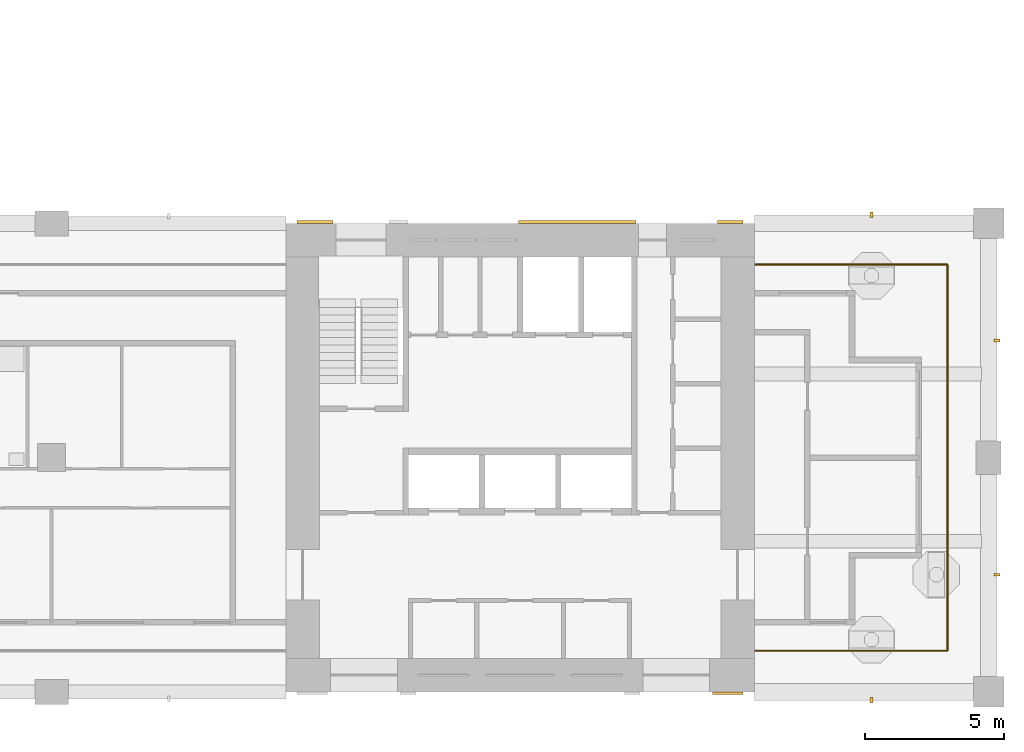
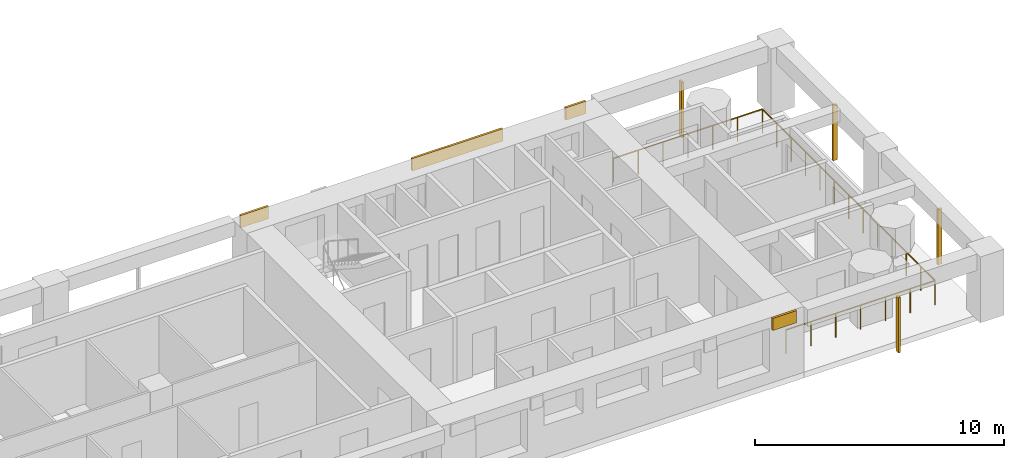
# One storey, part 9 of 13: 8 shading devices, 1 railing.
"""IFC4 building model written with IfcOpenShell, lengths in metres."""

import ifcopenshell
import ifcopenshell.guid

model = None  # the IFC model being written
_history = None  # IfcOwnerHistory: only IFC2X3 demands one
_inside = {}  # id of a spatial element -> (the spatial element, [elements in it])
_under = {}  # id of a project, library or spatial element -> (it, [spatial elements below it])
_declared = {}  # id of a project -> (the project, [libraries it declares])
_typed = {}  # id of a type object -> (the type object, [elements of that type])
_made_of = {}  # id of a material, layer set ... -> (it, [elements and type objects made of it])


def new_model(schema):
    """Start an empty IFC model of exactly this schema.

    Asked for "IFC4X3", IfcOpenShell would pick the latest addendum, in which some entities
    have other attributes; the version numbers below select the first issue.
    IFC2X3 requires an IfcOwnerHistory on every rooted entity: one is made here for all.
    """
    global model, _history
    if schema == "IFC4X3":
        model = ifcopenshell.file(schema_version=(4, 3, 0, 0))
    else:
        model = ifcopenshell.file(schema=schema)
    _inside.clear()
    _under.clear()
    _declared.clear()
    _typed.clear()
    _made_of.clear()
    _history = None
    if model.schema == "IFC2X3":
        org = make("IfcOrganization", Name="unknown")
        user = make(
            "IfcPersonAndOrganization",
            ThePerson=make("IfcPerson", FamilyName="unknown"),
            TheOrganization=org,
        )
        app = make(
            "IfcApplication",
            ApplicationDeveloper=org,
            Version="unknown",
            ApplicationFullName="unknown",
            ApplicationIdentifier="unknown",
        )
        _history = make(
            "IfcOwnerHistory",
            OwningUser=user,
            OwningApplication=app,
            ChangeAction="ADDED",
            CreationDate=0,
        )
    return model


def make(cls, **values):
    """One entity of the class cls with the attributes given. An attribute that is None is left unset."""
    return model.create_entity(
        cls, **{name: value for name, value in values.items() if value is not None}
    )


def rooted(cls, **values):
    """An entity with a GlobalId (a new one), such as an element, a storey or a relation."""
    return make(cls, GlobalId=ifcopenshell.guid.new(), OwnerHistory=_history, **values)


def si_unit(unit_type, name, prefix=None):
    """IfcSIUnit, for example si_unit("LENGTHUNIT", "METRE", prefix="MILLI")."""
    return make("IfcSIUnit", UnitType=unit_type, Prefix=prefix, Name=name)


def assignment(units):
    """IfcUnitAssignment: the units of a project."""
    return None if units is None else make("IfcUnitAssignment", Units=units)


def point(xyz):
    """IfcCartesianPoint."""
    return None if xyz is None else make("IfcCartesianPoint", Coordinates=xyz)


def direction(xyz):
    """IfcDirection."""
    return None if xyz is None else make("IfcDirection", DirectionRatios=xyz)


def frame(location, z_axis=None, x_axis=None):
    """IfcAxis2Placement3D, a coordinate frame: its origin and axes. An axis left out is left unset."""
    return make(
        "IfcAxis2Placement3D",
        Location=point(location),
        Axis=direction(z_axis),
        RefDirection=direction(x_axis),
    )


def frame_2d(location, x_axis=None):
    """IfcAxis2Placement2D, a coordinate frame in the plane: its origin and x axis."""
    return make(
        "IfcAxis2Placement2D", Location=point(location), RefDirection=direction(x_axis)
    )


def origin():
    """The frame at (0, 0, 0) with its axes left unset."""
    return frame((0.0, 0.0, 0.0))


def origin_2d():
    """The frame at (0, 0) in the plane with its x axis left unset."""
    return frame_2d((0.0, 0.0))


def place(relative_to, where):
    """IfcLocalPlacement: puts the frame where relative to a parent placement (None: the world)."""
    return make(
        "IfcLocalPlacement", PlacementRelTo=relative_to, RelativePlacement=where
    )


def context(
    kind, dimensions, precision=None, world=None, true_north=None, identifier=None
):
    """IfcGeometricRepresentationContext, for example the 3D "Model" context."""
    return make(
        "IfcGeometricRepresentationContext",
        ContextIdentifier=identifier,
        ContextType=kind,
        CoordinateSpaceDimension=dimensions,
        Precision=precision,
        WorldCoordinateSystem=world,
        TrueNorth=true_north,
    )


def subcontext(parent, identifier, kind, view, scale=None):
    """IfcGeometricRepresentationSubContext, for example "Body" below "Model"."""
    return make(
        "IfcGeometricRepresentationSubContext",
        ContextIdentifier=identifier,
        ContextType=kind,
        ParentContext=parent,
        TargetScale=scale,
        TargetView=view,
    )


def project(units=None, contexts=None):
    """IfcProject with its units and contexts."""
    return rooted(
        "IfcProject",
        Name="project",
        RepresentationContexts=contexts,
        UnitsInContext=assignment(units),
    )


def spatial(cls, under=None, at=None, **own):
    """A site, building, storey or space (cls), placed at a placement, below another one or the project."""
    s = rooted(cls, ObjectPlacement=at, **own)
    if under is not None:
        _under.setdefault(under.id(), (under, []))[1].append(s)
    return s


def profile(cls, at=None, kind="AREA", **sizes):
    """A parametric profile (cls). Its sizes go by their IFC names, for example OverallWidth=200.0."""
    return make(cls, ProfileType=kind, Position=at, **sizes)


def rectangle(**sizes):
    """IfcRectangleProfileDef."""
    return profile("IfcRectangleProfileDef", **sizes)


def circle(**sizes):
    """IfcCircleProfileDef."""
    return profile("IfcCircleProfileDef", **sizes)


def extrude(swept, where, along, depth):
    """IfcExtrudedAreaSolid: the profile swept, set in the frame where, extruded along a direction by depth."""
    return make(
        "IfcExtrudedAreaSolid",
        SweptArea=swept,
        Position=where,
        ExtrudedDirection=direction(along),
        Depth=depth,
    )


def shape(context_of_items, identifier, shape_type, items):
    """IfcShapeRepresentation: the items that make up one representation, for example the "Body"."""
    return make(
        "IfcShapeRepresentation",
        ContextOfItems=context_of_items,
        RepresentationIdentifier=identifier,
        RepresentationType=shape_type,
        Items=items,
    )


def material(Name=None, Category=None):
    """IfcMaterial."""
    return make("IfcMaterial", Name=Name, Category=Category)


def layer(
    of_material, thickness, ventilated=None, Name=None, Category=None, Priority=None
):
    """IfcMaterialLayer: one layer of a wall or slab, of a material (None: an air gap)."""
    return make(
        "IfcMaterialLayer",
        Material=of_material,
        LayerThickness=thickness,
        IsVentilated=ventilated,
        Name=Name,
        Category=Category,
        Priority=Priority,
    )


def layer_set(layers, Name=None):
    """IfcMaterialLayerSet."""
    return make("IfcMaterialLayerSet", MaterialLayers=layers, LayerSetName=Name)


def material_profile(
    of_material, cross_section, Name=None, Category=None, Priority=None
):
    """IfcMaterialProfile: a cross section and its material."""
    return make(
        "IfcMaterialProfile",
        Name=Name,
        Material=of_material,
        Profile=cross_section,
        Priority=Priority,
        Category=Category,
    )


def profile_set(profiles, Name=None, composite=None):
    """IfcMaterialProfileSet."""
    return make(
        "IfcMaterialProfileSet",
        Name=Name,
        MaterialProfiles=profiles,
        CompositeProfile=composite,
    )


def made_of(thing, what):
    """Note that an element or type object is made of a material, layer set ...; save() writes the relation."""
    if what is not None:
        _made_of.setdefault(what.id(), (what, []))[1].append(thing)
    return thing


def type_object(cls, material=None, **own):
    """A type object (cls), such as IfcWallType, which elements share."""
    return made_of(rooted(cls, **own), material)


def element(
    cls,
    number,
    at=None,
    inside=None,
    cuts=None,
    type_object=None,
    material=None,
    context=None,
    identifier="Body",
    shape_type=None,
    held_by="IfcProductDefinitionShape",
    body=None,
    shapes=None,
    **own,
):
    """One element of the class cls, such as IfcWall. Its Tag is "e" and its number.

    at: its placement. inside: the storey or other place that contains it. cuts: it is an
    opening in that element (IfcRelVoidsElement). A single representation is given by context,
    identifier, shape_type and body (its items); several are given by shapes. held_by: the class
    of the entity that holds the representations. save() writes the other relations.
    """
    e = rooted(cls, Tag="e%d" % number, ObjectPlacement=at, **own)
    if body is not None:
        shapes = [shape(context, identifier, shape_type, body)]
    if shapes is not None:
        e.Representation = make(held_by, Representations=shapes)
    if inside is not None:
        _inside.setdefault(inside.id(), (inside, []))[1].append(e)
    if cuts is not None:
        rooted(
            "IfcRelVoidsElement", RelatingBuildingElement=cuts, RelatedOpeningElement=e
        )
    if type_object is not None:
        _typed.setdefault(type_object.id(), (type_object, []))[1].append(e)
    return made_of(e, material)


def aggregate(whole, parts):
    """IfcRelAggregates: a whole, such as a stair, and the parts it consists of."""
    return rooted("IfcRelAggregates", RelatingObject=whole, RelatedObjects=parts)


def save(model, path):
    """Write the relations noted so far, then the file.

    IfcRelAggregates (storeys below a building ...), IfcRelContainedInSpatialStructure (elements
    in a storey), IfcRelDefinesByType, IfcRelAssociatesMaterial and IfcRelDeclares: one each for
    every whole, place, type object, material and project.
    """
    for whole, parts in _under.values():
        aggregate(whole, parts)
    for where, things in _inside.values():
        rooted(
            "IfcRelContainedInSpatialStructure",
            RelatedElements=things,
            RelatingStructure=where,
        )
    for kind, things in _typed.values():
        rooted("IfcRelDefinesByType", RelatedObjects=things, RelatingType=kind)
    for what, things in _made_of.values():
        rooted("IfcRelAssociatesMaterial", RelatedObjects=things, RelatingMaterial=what)
    for by, libraries in _declared.values():
        rooted("IfcRelDeclares", RelatingContext=by, RelatedDefinitions=libraries)
    model.write(path)


model = new_model("IFC4")

# Units and contexts
model_context = context("Model", 3, precision=1e-05, world=origin(), true_north=direction((0.0, 1.0)))
body_context = subcontext(model_context, "Body", "Model", "MODEL_VIEW")
ifc_project = project(units=[si_unit("LENGTHUNIT", "METRE"), si_unit("AREAUNIT", "SQUARE_METRE"), si_unit("VOLUMEUNIT", "CUBIC_METRE"), si_unit("PLANEANGLEUNIT", "RADIAN"), si_unit("MASSUNIT", "GRAM", prefix="KILO")], contexts=[model_context])

# Site, building, storey
site_placement = place(None, origin())
site = spatial("IfcSite", under=ifc_project, at=site_placement, CompositionType="ELEMENT")
building_placement = place(site_placement, origin())
building = spatial("IfcBuilding", under=site, at=building_placement, Name="Vermilion Gate Residences", CompositionType="ELEMENT")
storey_placement = place(building_placement, frame((0.0, 0.0, 158.199951171875)))
storey = spatial("IfcBuildingStorey", under=building, at=storey_placement, Name="L40", CompositionType="ELEMENT", Elevation=158.199951171875)

# Railing
ifc_material_1 = material(Name="Stainless steel and toughened glass", Category="steel")
railing_type = type_object("IfcRailingType", Name="LOGGIA GUARD STEEL AND GLASS 1200", PredefinedType="GUARDRAIL", material=ifc_material_1)
railing_placement = place(storey_placement, frame((58.822021484375, 9.875, 0.0)))
element("IfcRailing", 1, at=railing_placement, inside=storey, type_object=railing_type, Name="Loggia guard", PredefinedType="GUARDRAIL", context=body_context, shape_type="SweptSolid", body=[
    extrude(circle(Radius=0.030029296875, at=origin_2d()), frame((0.0, 0.0, 1.169921875), z_axis=(1.0, 0.0, 0.0), x_axis=(0.0, 1.0, 0.0)), (0.0, 0.0, 1.0), 6.903076171875),
    extrude(circle(Radius=0.030029296875, at=origin_2d()), frame((6.903076171875, 0.0, 1.169921875), z_axis=(0.0, 1.0, 0.0), x_axis=(-1.0, 0.0, 0.0)), (0.0, 0.0, 1.0), 13.85009765625),
    extrude(circle(Radius=0.030029296875, at=origin_2d()), frame((6.903076171875, 13.85009765625, 1.169921875), z_axis=(-1.0, 0.0, 0.0), x_axis=(0.0, -1.0, 0.0)), (0.0, 0.0, 1.0), 6.903076171875),
    extrude(circle(Radius=0.02490234375, at=origin_2d()), origin(), (0.0, 0.0, 1.0), 1.139892578125),
    extrude(circle(Radius=0.02490234375, at=origin_2d()), frame((1.150390625, 0.0, 0.0)), (0.0, 0.0, 1.0), 1.139892578125),
    extrude(circle(Radius=0.02490234375, at=origin_2d()), frame((2.301025390625, 0.0, 0.0)), (0.0, 0.0, 1.0), 1.139892578125),
    extrude(circle(Radius=0.02490234375, at=origin_2d()), frame((3.45166015625, 0.0, 0.0)), (0.0, 0.0, 1.0), 1.139892578125),
    extrude(circle(Radius=0.02490234375, at=origin_2d()), frame((4.60205078125, 0.0, 0.0)), (0.0, 0.0, 1.0), 1.139892578125),
    extrude(circle(Radius=0.02490234375, at=origin_2d()), frame((5.75244140625, 0.0, 0.0)), (0.0, 0.0, 1.0), 1.139892578125),
    extrude(circle(Radius=0.02490234375, at=origin_2d()), frame((6.903076171875, 0.0, 0.0)), (0.0, 0.0, 1.0), 1.139892578125),
    extrude(circle(Radius=0.02490234375, at=origin_2d()), frame((6.903076171875, 1.154296875, 0.0)), (0.0, 0.0, 1.0), 1.139892578125),
    extrude(circle(Radius=0.02490234375, at=origin_2d()), frame((6.903076171875, 2.308349609375, 0.0)), (0.0, 0.0, 1.0), 1.139892578125),
    extrude(circle(Radius=0.02490234375, at=origin_2d()), frame((6.903076171875, 3.46240234375, 0.0)), (0.0, 0.0, 1.0), 1.139892578125),
    extrude(circle(Radius=0.02490234375, at=origin_2d()), frame((6.903076171875, 4.61669921875, 0.0)), (0.0, 0.0, 1.0), 1.139892578125),
    extrude(circle(Radius=0.02490234375, at=origin_2d()), frame((6.903076171875, 5.77099609375, 0.0)), (0.0, 0.0, 1.0), 1.139892578125),
    extrude(circle(Radius=0.02490234375, at=origin_2d()), frame((6.903076171875, 6.925048828125, 0.0)), (0.0, 0.0, 1.0), 1.139892578125),
    extrude(circle(Radius=0.02490234375, at=origin_2d()), frame((6.903076171875, 8.0791015625, 0.0)), (0.0, 0.0, 1.0), 1.139892578125),
    extrude(circle(Radius=0.02490234375, at=origin_2d()), frame((6.903076171875, 9.2333984375, 0.0)), (0.0, 0.0, 1.0), 1.139892578125),
    extrude(circle(Radius=0.02490234375, at=origin_2d()), frame((6.903076171875, 10.3876953125, 0.0)), (0.0, 0.0, 1.0), 1.139892578125),
    extrude(circle(Radius=0.02490234375, at=origin_2d()), frame((6.903076171875, 11.541748046875, 0.0)), (0.0, 0.0, 1.0), 1.139892578125),
    extrude(circle(Radius=0.02490234375, at=origin_2d()), frame((6.903076171875, 12.69580078125, 0.0)), (0.0, 0.0, 1.0), 1.139892578125),
    extrude(circle(Radius=0.02490234375, at=origin_2d()), frame((6.903076171875, 13.85009765625, 0.0)), (0.0, 0.0, 1.0), 1.139892578125),
    extrude(circle(Radius=0.02490234375, at=origin_2d()), frame((5.75244140625, 13.85009765625, 0.0)), (0.0, 0.0, 1.0), 1.139892578125),
    extrude(circle(Radius=0.02490234375, at=origin_2d()), frame((4.60205078125, 13.85009765625, 0.0)), (0.0, 0.0, 1.0), 1.139892578125),
    extrude(circle(Radius=0.02490234375, at=origin_2d()), frame((3.45166015625, 13.85009765625, 0.0)), (0.0, 0.0, 1.0), 1.139892578125),
    extrude(circle(Radius=0.02490234375, at=origin_2d()), frame((2.301025390625, 13.85009765625, 0.0)), (0.0, 0.0, 1.0), 1.139892578125),
    extrude(circle(Radius=0.02490234375, at=origin_2d()), frame((1.150390625, 13.85009765625, 0.0)), (0.0, 0.0, 1.0), 1.139892578125),
    extrude(circle(Radius=0.02490234375, at=origin_2d()), frame((0.0, 13.85009765625, 0.0)), (0.0, 0.0, 1.0), 1.139892578125),
])

# Shading devices
ifc_material_2 = material(Name="Extruded terracotta", Category="masonry")
ifc_material_profile = material_profile(ifc_material_2, rectangle(XDim=0.199951171875, YDim=0.10009765625, at=origin_2d()), Name="BAGUETTE 100 X 200")
ifc_profile_set = profile_set([ifc_material_profile], Name="Extruded terracotta")
shading_device_type_1 = type_object("IfcShadingDeviceType", Name="TERRACOTTA BAGUETTE 100 X 200", PredefinedType="JALOUSIE", material=ifc_profile_set)
for number, where, z_axis, x_axis, name in (
    (2, (63.0, 8.10009765625, -0.280029296875), (0.0, 0.0, 1.0), (0.0, 1.0, 0.0), "BAGUETTE"),
    (3, (67.5, 12.60009765625, -0.280029296875), (0.0, 0.0, 1.0), (-1.0, 0.0, 0.0), "BAGUETTE"),
    (4, (67.5, 21.0, -0.280029296875), (0.0, 0.0, 1.0), (-1.0, 0.0, 0.0), "BAGUETTE"),
    (5, (63.0, 25.5, -0.280029296875), (0.0, 0.0, 1.0), (0.0, -1.0, 0.0), "BAGUETTE"),
):
    element("IfcShadingDevice", number, at=place(storey_placement, frame(where, z_axis=z_axis, x_axis=x_axis)), inside=storey, type_object=shading_device_type_1, Name=name, PredefinedType="JALOUSIE", context=body_context, shape_type="SweptSolid", body=[
        extrude(rectangle(XDim=0.199951171875, YDim=0.10009765625, at=origin_2d()), origin(), (0.0, 0.0, 1.0), 2.7001953125),
    ])
ifc_material_3 = material(Name="Extruded terracotta", Category="masonry")
ifc_layer = layer(ifc_material_3, 0.10009765625)
ifc_layer_set = layer_set([ifc_layer], Name="TERRACOTTA SPANDREL BAND 600 X 100")
shading_device_type_2 = type_object("IfcShadingDeviceType", Name="TERRACOTTA SPANDREL BAND 600 X 100", PredefinedType="USERDEFINED", material=ifc_layer_set)
shading_device_1_placement = place(storey_placement, frame((57.85009765625, 8.35009765625, 2.6201171875), z_axis=(0.0, 0.0, 1.0), x_axis=(1.0, 0.0, 0.0)))
element("IfcShadingDevice", 6, at=shading_device_1_placement, inside=storey, type_object=shading_device_type_2, Name="SPANDREL BAND", ObjectType="BAND", PredefinedType="USERDEFINED", context=body_context, shape_type="SweptSolid", body=[
    extrude(rectangle(XDim=1.10009765625, YDim=0.10009765625, at=origin_2d()), origin(), (0.0, 0.0, 1.0), 0.60009765625),
])
shading_device_2_placement = place(storey_placement, frame((43.050048828125, 25.25, 2.6201171875), z_axis=(0.0, 0.0, 1.0), x_axis=(1.0, 0.0, 0.0)))
element("IfcShadingDevice", 7, at=shading_device_2_placement, inside=storey, type_object=shading_device_type_2, Name="SPANDREL BAND", ObjectType="BAND", PredefinedType="USERDEFINED", context=body_context, shape_type="SweptSolid", body=[
    extrude(rectangle(XDim=1.300048828125, YDim=0.10009765625, at=origin_2d()), origin(), (0.0, 0.0, 1.0), 0.60009765625),
])
shading_device_3_placement = place(storey_placement, frame((52.449951171875, 25.25, 2.6201171875), z_axis=(0.0, 0.0, 1.0), x_axis=(1.0, 0.0, 0.0)))
element("IfcShadingDevice", 8, at=shading_device_3_placement, inside=storey, type_object=shading_device_type_2, Name="SPANDREL BAND", ObjectType="BAND", PredefinedType="USERDEFINED", context=body_context, shape_type="SweptSolid", body=[
    extrude(rectangle(XDim=4.199951171875, YDim=0.10009765625, at=origin_2d()), origin(), (0.0, 0.0, 1.0), 0.60009765625),
])
shading_device_4_placement = place(storey_placement, frame((57.9375, 25.25, 2.6201171875), z_axis=(0.0, 0.0, 1.0), x_axis=(1.0, 0.0, 0.0)))
element("IfcShadingDevice", 9, at=shading_device_4_placement, inside=storey, type_object=shading_device_type_2, Name="SPANDREL BAND", ObjectType="BAND", PredefinedType="USERDEFINED", context=body_context, shape_type="SweptSolid", body=[
    extrude(rectangle(XDim=0.925048828125, YDim=0.10009765625, at=origin_2d()), origin(), (0.0, 0.0, 1.0), 0.60009765625),
])

save(model, "model.ifc")
